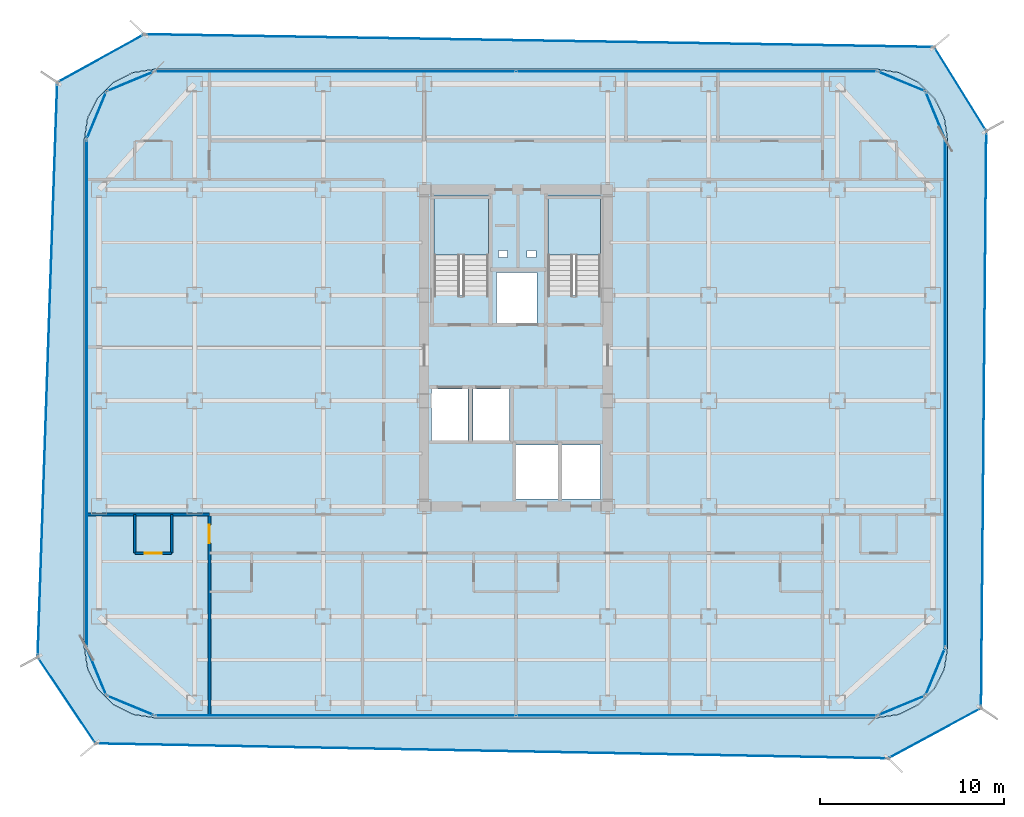
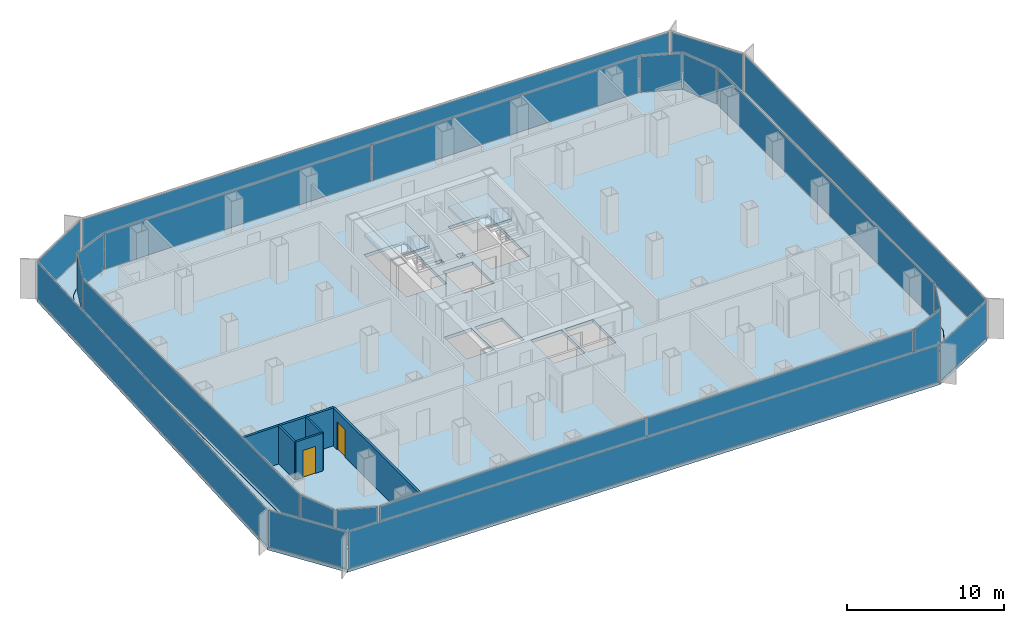
# One storey, part 15 of 21: 22 plates, 5 walls, 4 slabs, 2 doors, 2 openings, 22 elements without a shape of their own.
"""IFC4 building model written with IfcOpenShell, lengths in metres."""

import ifcopenshell
import ifcopenshell.guid

model = None  # the IFC model being written
_history = None  # IfcOwnerHistory: only IFC2X3 demands one
_inside = {}  # id of a spatial element -> (the spatial element, [elements in it])
_under = {}  # id of a project, library or spatial element -> (it, [spatial elements below it])
_declared = {}  # id of a project -> (the project, [libraries it declares])
_typed = {}  # id of a type object -> (the type object, [elements of that type])
_made_of = {}  # id of a material, layer set ... -> (it, [elements and type objects made of it])


def new_model(schema):
    """Start an empty IFC model of exactly this schema.

    Asked for "IFC4X3", IfcOpenShell would pick the latest addendum, in which some entities
    have other attributes; the version numbers below select the first issue.
    IFC2X3 requires an IfcOwnerHistory on every rooted entity: one is made here for all.
    """
    global model, _history
    if schema == "IFC4X3":
        model = ifcopenshell.file(schema_version=(4, 3, 0, 0))
    else:
        model = ifcopenshell.file(schema=schema)
    _inside.clear()
    _under.clear()
    _declared.clear()
    _typed.clear()
    _made_of.clear()
    _history = None
    if model.schema == "IFC2X3":
        org = make("IfcOrganization", Name="unknown")
        user = make(
            "IfcPersonAndOrganization",
            ThePerson=make("IfcPerson", FamilyName="unknown"),
            TheOrganization=org,
        )
        app = make(
            "IfcApplication",
            ApplicationDeveloper=org,
            Version="unknown",
            ApplicationFullName="unknown",
            ApplicationIdentifier="unknown",
        )
        _history = make(
            "IfcOwnerHistory",
            OwningUser=user,
            OwningApplication=app,
            ChangeAction="ADDED",
            CreationDate=0,
        )
    return model


def make(cls, **values):
    """One entity of the class cls with the attributes given. An attribute that is None is left unset."""
    return model.create_entity(
        cls, **{name: value for name, value in values.items() if value is not None}
    )


def rooted(cls, **values):
    """An entity with a GlobalId (a new one), such as an element, a storey or a relation."""
    return make(cls, GlobalId=ifcopenshell.guid.new(), OwnerHistory=_history, **values)


def si_unit(unit_type, name, prefix=None):
    """IfcSIUnit, for example si_unit("LENGTHUNIT", "METRE", prefix="MILLI")."""
    return make("IfcSIUnit", UnitType=unit_type, Prefix=prefix, Name=name)


def assignment(units):
    """IfcUnitAssignment: the units of a project."""
    return None if units is None else make("IfcUnitAssignment", Units=units)


def point(xyz):
    """IfcCartesianPoint."""
    return None if xyz is None else make("IfcCartesianPoint", Coordinates=xyz)


def direction(xyz):
    """IfcDirection."""
    return None if xyz is None else make("IfcDirection", DirectionRatios=xyz)


def frame(location, z_axis=None, x_axis=None):
    """IfcAxis2Placement3D, a coordinate frame: its origin and axes. An axis left out is left unset."""
    return make(
        "IfcAxis2Placement3D",
        Location=point(location),
        Axis=direction(z_axis),
        RefDirection=direction(x_axis),
    )


def frame_2d(location, x_axis=None):
    """IfcAxis2Placement2D, a coordinate frame in the plane: its origin and x axis."""
    return make(
        "IfcAxis2Placement2D", Location=point(location), RefDirection=direction(x_axis)
    )


def origin():
    """The frame at (0, 0, 0) with its axes left unset."""
    return frame((0.0, 0.0, 0.0))


def origin_2d():
    """The frame at (0, 0) in the plane with its x axis left unset."""
    return frame_2d((0.0, 0.0))


def place(relative_to, where):
    """IfcLocalPlacement: puts the frame where relative to a parent placement (None: the world)."""
    return make(
        "IfcLocalPlacement", PlacementRelTo=relative_to, RelativePlacement=where
    )


def context(
    kind, dimensions, precision=None, world=None, true_north=None, identifier=None
):
    """IfcGeometricRepresentationContext, for example the 3D "Model" context."""
    return make(
        "IfcGeometricRepresentationContext",
        ContextIdentifier=identifier,
        ContextType=kind,
        CoordinateSpaceDimension=dimensions,
        Precision=precision,
        WorldCoordinateSystem=world,
        TrueNorth=true_north,
    )


def subcontext(parent, identifier, kind, view, scale=None):
    """IfcGeometricRepresentationSubContext, for example "Body" below "Model"."""
    return make(
        "IfcGeometricRepresentationSubContext",
        ContextIdentifier=identifier,
        ContextType=kind,
        ParentContext=parent,
        TargetScale=scale,
        TargetView=view,
    )


def project(units=None, contexts=None):
    """IfcProject with its units and contexts."""
    return rooted(
        "IfcProject",
        Name="project",
        RepresentationContexts=contexts,
        UnitsInContext=assignment(units),
    )


def spatial(cls, under=None, at=None, **own):
    """A site, building, storey or space (cls), placed at a placement, below another one or the project."""
    s = rooted(cls, ObjectPlacement=at, **own)
    if under is not None:
        _under.setdefault(under.id(), (under, []))[1].append(s)
    return s


def polyline(points):
    """IfcPolyline through the points."""
    return make("IfcPolyline", Points=[point(p) for p in points])


def profile(cls, at=None, kind="AREA", **sizes):
    """A parametric profile (cls). Its sizes go by their IFC names, for example OverallWidth=200.0."""
    return make(cls, ProfileType=kind, Position=at, **sizes)


def rectangle(**sizes):
    """IfcRectangleProfileDef."""
    return profile("IfcRectangleProfileDef", **sizes)


def outline(outer, holes=None, kind="AREA"):
    """IfcArbitraryClosedProfileDef: a profile drawn as a closed curve; with holes, ...WithVoids."""
    if holes is None:
        return make("IfcArbitraryClosedProfileDef", ProfileType=kind, OuterCurve=outer)
    return make(
        "IfcArbitraryProfileDefWithVoids",
        ProfileType=kind,
        OuterCurve=outer,
        InnerCurves=holes,
    )


def extrude(swept, where, along, depth):
    """IfcExtrudedAreaSolid: the profile swept, set in the frame where, extruded along a direction by depth."""
    return make(
        "IfcExtrudedAreaSolid",
        SweptArea=swept,
        Position=where,
        ExtrudedDirection=direction(along),
        Depth=depth,
    )


def shape(context_of_items, identifier, shape_type, items):
    """IfcShapeRepresentation: the items that make up one representation, for example the "Body"."""
    return make(
        "IfcShapeRepresentation",
        ContextOfItems=context_of_items,
        RepresentationIdentifier=identifier,
        RepresentationType=shape_type,
        Items=items,
    )


def source(mapping_origin, context_of_items, identifier, shape_type, items):
    """IfcRepresentationMap: a shape defined once, which mapped items show again and again."""
    return make(
        "IfcRepresentationMap",
        MappingOrigin=mapping_origin,
        MappedRepresentation=shape(context_of_items, identifier, shape_type, items),
    )


def transform(
    local_origin,
    x_axis=None,
    y_axis=None,
    z_axis=None,
    scale=None,
    scale2=None,
    scale3=None,
    uniform=True,
):
    """IfcCartesianTransformationOperator3D, or its non-uniform kind. x_axis, y_axis, z_axis: its Axis1, 2, 3."""
    if uniform:
        return make(
            "IfcCartesianTransformationOperator3D",
            Axis1=direction(x_axis),
            Axis2=direction(y_axis),
            LocalOrigin=point(local_origin),
            Scale=scale,
            Axis3=direction(z_axis),
        )
    return make(
        "IfcCartesianTransformationOperator3DnonUniform",
        Axis1=direction(x_axis),
        Axis2=direction(y_axis),
        LocalOrigin=point(local_origin),
        Scale=scale,
        Axis3=direction(z_axis),
        Scale2=scale2,
        Scale3=scale3,
    )


def mapped(mapping_source, mapping_target):
    """IfcMappedItem: shows the shape of a source again, moved by a transform."""
    return make(
        "IfcMappedItem", MappingSource=mapping_source, MappingTarget=mapping_target
    )


def material(Name=None, Category=None):
    """IfcMaterial."""
    return make("IfcMaterial", Name=Name, Category=Category)


def layer(
    of_material, thickness, ventilated=None, Name=None, Category=None, Priority=None
):
    """IfcMaterialLayer: one layer of a wall or slab, of a material (None: an air gap)."""
    return make(
        "IfcMaterialLayer",
        Material=of_material,
        LayerThickness=thickness,
        IsVentilated=ventilated,
        Name=Name,
        Category=Category,
        Priority=Priority,
    )


def layer_set(layers, Name=None):
    """IfcMaterialLayerSet."""
    return make("IfcMaterialLayerSet", MaterialLayers=layers, LayerSetName=Name)


def made_of(thing, what):
    """Note that an element or type object is made of a material, layer set ...; save() writes the relation."""
    if what is not None:
        _made_of.setdefault(what.id(), (what, []))[1].append(thing)
    return thing


def type_object(cls, material=None, **own):
    """A type object (cls), such as IfcWallType, which elements share."""
    return made_of(rooted(cls, **own), material)


def element(
    cls,
    number,
    at=None,
    inside=None,
    cuts=None,
    type_object=None,
    material=None,
    context=None,
    identifier="Body",
    shape_type=None,
    held_by="IfcProductDefinitionShape",
    body=None,
    shapes=None,
    **own,
):
    """One element of the class cls, such as IfcWall. Its Tag is "e" and its number.

    at: its placement. inside: the storey or other place that contains it. cuts: it is an
    opening in that element (IfcRelVoidsElement). A single representation is given by context,
    identifier, shape_type and body (its items); several are given by shapes. held_by: the class
    of the entity that holds the representations. save() writes the other relations.
    """
    e = rooted(cls, Tag="e%d" % number, ObjectPlacement=at, **own)
    if body is not None:
        shapes = [shape(context, identifier, shape_type, body)]
    if shapes is not None:
        e.Representation = make(held_by, Representations=shapes)
    if inside is not None:
        _inside.setdefault(inside.id(), (inside, []))[1].append(e)
    if cuts is not None:
        rooted(
            "IfcRelVoidsElement", RelatingBuildingElement=cuts, RelatedOpeningElement=e
        )
    if type_object is not None:
        _typed.setdefault(type_object.id(), (type_object, []))[1].append(e)
    return made_of(e, material)


def fill(opening, filler):
    """IfcRelFillsElement: the door or window that sits in an opening."""
    return rooted(
        "IfcRelFillsElement",
        RelatingOpeningElement=opening,
        RelatedBuildingElement=filler,
    )


def aggregate(whole, parts):
    """IfcRelAggregates: a whole, such as a stair, and the parts it consists of."""
    return rooted("IfcRelAggregates", RelatingObject=whole, RelatedObjects=parts)


def save(model, path):
    """Write the relations noted so far, then the file.

    IfcRelAggregates (storeys below a building ...), IfcRelContainedInSpatialStructure (elements
    in a storey), IfcRelDefinesByType, IfcRelAssociatesMaterial and IfcRelDeclares: one each for
    every whole, place, type object, material and project.
    """
    for whole, parts in _under.values():
        aggregate(whole, parts)
    for where, things in _inside.values():
        rooted(
            "IfcRelContainedInSpatialStructure",
            RelatedElements=things,
            RelatingStructure=where,
        )
    for kind, things in _typed.values():
        rooted("IfcRelDefinesByType", RelatedObjects=things, RelatingType=kind)
    for what, things in _made_of.values():
        rooted("IfcRelAssociatesMaterial", RelatedObjects=things, RelatingMaterial=what)
    for by, libraries in _declared.values():
        rooted("IfcRelDeclares", RelatingContext=by, RelatedDefinitions=libraries)
    model.write(path)


model = new_model("IFC4")

# Units and contexts
model_context = context("Model", 3, precision=1e-05, world=origin(), true_north=direction((0.0, 1.0)))
body_context = subcontext(model_context, "Body", "Model", "MODEL_VIEW")
ifc_project = project(units=[si_unit("LENGTHUNIT", "METRE"), si_unit("AREAUNIT", "SQUARE_METRE"), si_unit("VOLUMEUNIT", "CUBIC_METRE"), si_unit("PLANEANGLEUNIT", "RADIAN"), si_unit("MASSUNIT", "GRAM", prefix="KILO")], contexts=[model_context])

# Site, building, storey
site_placement = place(None, origin())
site = spatial("IfcSite", under=ifc_project, at=site_placement, CompositionType="ELEMENT")
building_placement = place(site_placement, origin())
building = spatial("IfcBuilding", under=site, at=building_placement, Name="Kolveth Station Tower", CompositionType="ELEMENT")
storey_placement = place(building_placement, frame((0.0, 0.0, 95.89990234375)))
storey = spatial("IfcBuildingStorey", under=building, at=storey_placement, Name="L25", CompositionType="ELEMENT", Elevation=95.89990234375)

# Slab
ifc_material_1 = material(Name="Concrete C40/50", Category="concrete")
ifc_layer_1 = layer(ifc_material_1, 0.25)
ifc_layer_set_1 = layer_set([ifc_layer_1], Name="Concrete C40/50")
slab_type_1 = type_object("IfcSlabType", Name="Slab_SF-250", PredefinedType="FLOOR", material=ifc_layer_set_1)
slab_1_placement = place(storey_placement, frame((0.0, 0.0, -0.25)))
element("IfcSlab", 1, at=slab_1_placement, inside=storey, type_object=slab_type_1, Name="L25 Tower Structural Floor Slab", PredefinedType="FLOOR", context=body_context, shape_type="SweptSolid", body=[
    extrude(outline(polyline([(43.199951171875, 0.0), (44.374267578125, 0.18603515625), (45.43359375, 0.7255859375), (46.2744140625, 1.56640625), (46.81396484375, 2.625732421875), (47.0, 3.800048828125), (47.0, 31.5), (46.81396484375, 32.67431640625), (46.2744140625, 33.733642578125), (45.43359375, 34.57421875), (44.374267578125, 35.114013671875), (43.199951171875, 35.300048828125), (3.800048828125, 35.300048828125), (2.625732421875, 35.114013671875), (1.56640625, 34.57421875), (0.7255859375, 33.733642578125), (0.18603515625, 32.67431640625), (0.0, 31.5), (0.0, 3.800048828125), (0.18603515625, 2.625732421875), (0.7255859375, 1.56640625), (1.56640625, 0.7255859375), (2.625732421875, 0.18603515625), (3.800048828125, 0.0), (43.199951171875, 0.0)]), holes=[polyline([(19.0400390625, 22.985107421875), (22.0, 22.985107421875), (22.0, 28.39990234375), (19.0400390625, 28.39990234375), (19.0400390625, 22.985107421875)]), polyline([(25.239990234375, 22.985107421875), (28.10009765625, 22.985107421875), (28.10009765625, 28.39990234375), (25.239990234375, 28.39990234375), (25.239990234375, 22.985107421875)]), polyline([(18.89990234375, 15.10009765625), (20.89990234375, 15.10009765625), (20.89990234375, 17.89990234375), (18.89990234375, 17.89990234375), (18.89990234375, 15.10009765625)]), polyline([(21.14990234375, 15.10009765625), (23.14990234375, 15.10009765625), (23.14990234375, 17.89990234375), (21.14990234375, 17.89990234375), (21.14990234375, 15.10009765625)]), polyline([(22.449951171875, 21.5), (24.64990234375, 21.5), (24.64990234375, 24.25), (22.449951171875, 24.25), (22.449951171875, 21.5)]), polyline([(23.5, 11.89990234375), (25.800048828125, 11.89990234375), (25.800048828125, 14.85009765625), (23.5, 14.85009765625), (23.5, 11.89990234375)]), polyline([(26.0, 11.89990234375), (28.10009765625, 11.89990234375), (28.10009765625, 14.85009765625), (26.0, 14.85009765625), (26.0, 11.89990234375)]), polyline([(22.550048828125, 25.050048828125), (23.050048828125, 25.050048828125), (23.050048828125, 25.449951171875), (22.550048828125, 25.449951171875), (22.550048828125, 25.050048828125)]), polyline([(24.10009765625, 25.050048828125), (24.60009765625, 25.050048828125), (24.60009765625, 25.449951171875), (24.10009765625, 25.449951171875), (24.10009765625, 25.050048828125)])]), origin(), (0.0, 0.0, 1.0), 0.25),
])

# Stair, slab
stair_type_1 = type_object("IfcStairType", Name="Stair_ST2", PredefinedType="HALF_TURN_STAIR", material=ifc_material_1)
stair_1_placement = place(storey_placement, origin())
stair_1 = element("IfcStair", 2, at=stair_1_placement, inside=storey, type_object=stair_type_1, Name="L25 Tower Exit Stair ST2", PredefinedType="HALF_TURN_STAIR")
ifc_layer_2 = layer(ifc_material_1, 0.18994140625)
ifc_layer_set_2 = layer_set([ifc_layer_2], Name="Concrete C40/50")
slab_type_2 = type_object("IfcSlabType", Name="Slab_SL-190", PredefinedType="LANDING", material=ifc_layer_set_2)
slab_2_placement = place(storey_placement, frame((0.0, 0.0, 1.400146484375)))
slab_2 = element("IfcSlab", 3, at=slab_2_placement, type_object=slab_type_2, Name="ST2 landing 1", PredefinedType="LANDING", context=body_context, shape_type="SweptSolid", body=[
    extrude(outline(polyline([(28.10009765625, 25.18994140625), (28.10009765625, 28.39990234375), (25.239990234375, 28.39990234375), (25.239990234375, 25.18994140625), (28.10009765625, 25.18994140625)])), origin(), (0.0, 0.0, 1.0), 0.199951171875),
])
aggregate(stair_1, [slab_2])

stair_type_2 = type_object("IfcStairType", Name="Stair_ST1", PredefinedType="HALF_TURN_STAIR", material=ifc_material_1)
stair_2_placement = place(storey_placement, origin())
stair_2 = element("IfcStair", 4, at=stair_2_placement, inside=storey, type_object=stair_type_2, Name="L25 Tower Exit Stair ST1", PredefinedType="HALF_TURN_STAIR")
ifc_layer_3 = layer(ifc_material_1, 0.205078125)
ifc_layer_set_3 = layer_set([ifc_layer_3], Name="Concrete C40/50")
slab_type_3 = type_object("IfcSlabType", Name="Slab_SL-205", PredefinedType="LANDING", material=ifc_layer_set_3)
slab_3_placement = place(storey_placement, frame((0.0, 0.0, 1.400146484375)))
slab_3 = element("IfcSlab", 5, at=slab_3_placement, type_object=slab_type_3, Name="ST1 landing 1", PredefinedType="LANDING", context=body_context, shape_type="SweptSolid", body=[
    extrude(outline(polyline([(22.0, 25.18994140625), (22.0, 28.39990234375), (19.0400390625, 28.39990234375), (19.0400390625, 25.18994140625), (22.0, 25.18994140625)])), origin(), (0.0, 0.0, 1.0), 0.199951171875),
])
aggregate(stair_2, [slab_3])

# Slab
ifc_layer_4 = layer(ifc_material_1, 0.2099609375)
ifc_layer_set_4 = layer_set([ifc_layer_4], Name="Concrete C40/50")
slab_type_4 = type_object("IfcSlabType", Name="Slab_ST-210", PredefinedType="FLOOR", material=ifc_layer_set_4)
slab_4_placement = place(storey_placement, frame((0.0, 0.0, -0.2099609375)))
element("IfcSlab", 6, at=slab_4_placement, inside=storey, type_object=slab_type_4, Name="L25 Double-Skin Cavity Structural Ledger Ring", PredefinedType="FLOOR", context=body_context, shape_type="SweptSolid", body=[
    extrude(outline(polyline([(0.61083984375, -1.41259765625), (-2.54638671875, 3.29931640625), (-1.479248046875, 34.58544921875), (3.266357421875, 37.209716796875), (46.277587890625, 36.51708984375), (49.1181640625, 31.9462890625), (48.833251953125, 0.5107421875), (43.772705078125, -2.2236328125), (0.61083984375, -1.41259765625)]), holes=[polyline([(43.202392578125, -0.014892578125), (44.376708984375, 0.171142578125), (44.381103515625, 0.172607421875), (45.4404296875, 0.71240234375), (45.444091796875, 0.715087890625), (46.284912109375, 1.555908203125), (46.28759765625, 1.5595703125), (46.827392578125, 2.618896484375), (46.828857421875, 2.623291015625), (47.014892578125, 3.797607421875), (47.014892578125, 3.800048828125), (47.014892578125, 31.5), (47.014892578125, 31.502197265625), (46.828857421875, 32.676513671875), (46.827392578125, 32.68115234375), (46.28759765625, 33.740478515625), (46.284912109375, 33.744140625), (45.444091796875, 34.5849609375), (45.4404296875, 34.587646484375), (44.381103515625, 35.12744140625), (44.376708984375, 35.12890625), (43.202392578125, 35.314697265625), (43.199951171875, 35.31494140625), (3.800048828125, 35.31494140625), (3.797607421875, 35.314697265625), (2.623291015625, 35.12890625), (2.618896484375, 35.12744140625), (1.5595703125, 34.587646484375), (1.555908203125, 34.5849609375), (0.715087890625, 33.744140625), (0.71240234375, 33.740478515625), (0.172607421875, 32.68115234375), (0.171142578125, 32.676513671875), (-0.014892578125, 31.502197265625), (-0.014892578125, 31.5), (-0.014892578125, 3.800048828125), (-0.014892578125, 3.797607421875), (0.171142578125, 2.623291015625), (0.172607421875, 2.618896484375), (0.71240234375, 1.5595703125), (0.715087890625, 1.555908203125), (1.555908203125, 0.715087890625), (1.5595703125, 0.71240234375), (2.618896484375, 0.172607421875), (2.623291015625, 0.171142578125), (3.797607421875, -0.014892578125), (3.800048828125, -0.014892578125), (43.199951171875, -0.014892578125), (43.202392578125, -0.014892578125)])]), origin(), (0.0, 0.0, 1.0), 0.2099609375),
])

# Curtain wall, plate
ifc_material_2 = material(Name="Aluminium 6063-T6 and low-E dark glass", Category="aluminium")
ifc_layer_5 = layer(ifc_material_2, 0.18994140625)
ifc_layer_set_5 = layer_set([ifc_layer_5], Name="Aluminium 6063-T6 and low-E dark glass")
curtain_wall_type_1 = type_object("IfcCurtainWallType", Name="CurtainWall_CW-Z2", PredefinedType="NOTDEFINED", material=ifc_layer_set_5)
curtain_wall_1_placement = place(storey_placement, origin())
curtain_wall_1 = element("IfcCurtainWall", 7, at=curtain_wall_1_placement, inside=storey, type_object=curtain_wall_type_1, Name="L25 Inner Thermal Curtain Wall 1", PredefinedType="NOTDEFINED")
ifc_material_3 = material(Name="Architectural low-E dark glass", Category="glass")
ifc_layer_6 = layer(ifc_material_3, 0.0380859375)
ifc_layer_set_6 = layer_set([ifc_layer_6], Name="Architectural low-E dark glass")
plate_type_1 = type_object("IfcPlateType", Name="Panel_GL2", PredefinedType="CURTAIN_PANEL", material=ifc_layer_set_6)
shared_shape_1 = source(origin(), body_context, "Body", "SweptSolid", [
    extrude(rectangle(XDim=2.670654296875, YDim=0.0380859375, at=origin_2d()), origin(), (0.0, 0.0, 1.0), 2.803955078125),
])
plate_1_placement = place(storey_placement, frame((44.501220703125, 0.658935546875, 0.0732421875), z_axis=(0.0, 0.0, 1.0), x_axis=(0.923887883787, 0.38266326998, 0.0)))
plate_1 = element("IfcPlate", 8, at=plate_1_placement, type_object=plate_type_1, Name="CW-Z2 panel 1.1", PredefinedType="CURTAIN_PANEL", context=body_context, shape_type="MappedRepresentation", body=[
    mapped(shared_shape_1, transform((0.0, 0.0, 0.0), x_axis=(1.0, 0.0, 0.0), y_axis=(0.0, 1.0, 0.0), z_axis=(0.0, 0.0, 1.0), scale=1.0)),
])
aggregate(curtain_wall_1, [plate_1])

curtain_wall_2_placement = place(storey_placement, origin())
curtain_wall_2 = element("IfcCurtainWall", 9, at=curtain_wall_2_placement, inside=storey, type_object=curtain_wall_type_1, Name="L25 Inner Thermal Curtain Wall 2", PredefinedType="NOTDEFINED")
plate_2_placement = place(storey_placement, frame((46.341064453125, 2.498779296875, 0.0732421875), z_axis=(0.0, 0.0, 1.0), x_axis=(0.38266326998, 0.923887883787, 0.0)))
plate_2 = element("IfcPlate", 10, at=plate_2_placement, type_object=plate_type_1, Name="CW-Z2 panel 1.1", PredefinedType="CURTAIN_PANEL", context=body_context, shape_type="MappedRepresentation", body=[
    mapped(shared_shape_1, transform((0.0, 0.0, 0.0), x_axis=(1.0, 0.0, 0.0), y_axis=(0.0, 1.0, 0.0), z_axis=(0.0, 0.0, 1.0), scale=1.0)),
])
aggregate(curtain_wall_2, [plate_2])

curtain_wall_3_placement = place(storey_placement, origin())
curtain_wall_3 = element("IfcCurtainWall", 11, at=curtain_wall_3_placement, inside=storey, type_object=curtain_wall_type_1, Name="L25 Inner Thermal Curtain Wall 4", PredefinedType="NOTDEFINED")
plate_3_placement = place(storey_placement, frame((46.341064453125, 32.801025390625, 0.0732421875), z_axis=(0.0, 0.0, 1.0), x_axis=(-0.38266326998, 0.923887883787, 0.0)))
plate_3 = element("IfcPlate", 12, at=plate_3_placement, type_object=plate_type_1, Name="CW-Z2 panel 1.1", PredefinedType="CURTAIN_PANEL", context=body_context, shape_type="MappedRepresentation", body=[
    mapped(shared_shape_1, transform((0.0, 0.0, 0.0), x_axis=(1.0, 0.0, 0.0), y_axis=(0.0, 1.0, 0.0), z_axis=(0.0, 0.0, 1.0), scale=1.0)),
])
aggregate(curtain_wall_3, [plate_3])

curtain_wall_4_placement = place(storey_placement, origin())
curtain_wall_4 = element("IfcCurtainWall", 13, at=curtain_wall_4_placement, inside=storey, type_object=curtain_wall_type_1, Name="L25 Inner Thermal Curtain Wall 5", PredefinedType="NOTDEFINED")
plate_4_placement = place(storey_placement, frame((44.501220703125, 34.64111328125, 0.0732421875), z_axis=(0.0, 0.0, 1.0), x_axis=(-0.923887883787, 0.38266326998, 0.0)))
plate_4 = element("IfcPlate", 14, at=plate_4_placement, type_object=plate_type_1, Name="CW-Z2 panel 1.1", PredefinedType="CURTAIN_PANEL", context=body_context, shape_type="MappedRepresentation", body=[
    mapped(shared_shape_1, transform((0.0, 0.0, 0.0), x_axis=(1.0, 0.0, 0.0), y_axis=(0.0, 1.0, 0.0), z_axis=(0.0, 0.0, 1.0), scale=1.0)),
])
aggregate(curtain_wall_4, [plate_4])

curtain_wall_5_placement = place(storey_placement, origin())
curtain_wall_5 = element("IfcCurtainWall", 15, at=curtain_wall_5_placement, inside=storey, type_object=curtain_wall_type_1, Name="L25 Inner Thermal Curtain Wall 7", PredefinedType="NOTDEFINED")
plate_5_placement = place(storey_placement, frame((2.498779296875, 34.64111328125, 0.0732421875), z_axis=(0.0, 0.0, 1.0), x_axis=(-0.923887883787, -0.38266326998, 0.0)))
plate_5 = element("IfcPlate", 16, at=plate_5_placement, type_object=plate_type_1, Name="CW-Z2 panel 1.1", PredefinedType="CURTAIN_PANEL", context=body_context, shape_type="MappedRepresentation", body=[
    mapped(shared_shape_1, transform((0.0, 0.0, 0.0), x_axis=(1.0, 0.0, 0.0), y_axis=(0.0, 1.0, 0.0), z_axis=(0.0, 0.0, 1.0), scale=1.0)),
])
aggregate(curtain_wall_5, [plate_5])

curtain_wall_6_placement = place(storey_placement, origin())
curtain_wall_6 = element("IfcCurtainWall", 17, at=curtain_wall_6_placement, inside=storey, type_object=curtain_wall_type_1, Name="L25 Inner Thermal Curtain Wall 8", PredefinedType="NOTDEFINED")
plate_6_placement = place(storey_placement, frame((0.658935546875, 32.801025390625, 0.0732421875), z_axis=(0.0, 0.0, 1.0), x_axis=(-0.38266326998, -0.923887883787, 0.0)))
plate_6 = element("IfcPlate", 18, at=plate_6_placement, type_object=plate_type_1, Name="CW-Z2 panel 1.1", PredefinedType="CURTAIN_PANEL", context=body_context, shape_type="MappedRepresentation", body=[
    mapped(shared_shape_1, transform((0.0, 0.0, 0.0), x_axis=(1.0, 0.0, 0.0), y_axis=(0.0, 1.0, 0.0), z_axis=(0.0, 0.0, 1.0), scale=1.0)),
])
aggregate(curtain_wall_6, [plate_6])

curtain_wall_7_placement = place(storey_placement, origin())
curtain_wall_7 = element("IfcCurtainWall", 19, at=curtain_wall_7_placement, inside=storey, type_object=curtain_wall_type_1, Name="L25 Inner Thermal Curtain Wall 10", PredefinedType="NOTDEFINED")
plate_7_placement = place(storey_placement, frame((0.658935546875, 2.498779296875, 0.0732421875), z_axis=(0.0, 0.0, 1.0), x_axis=(0.38266326998, -0.923887883787, 0.0)))
plate_7 = element("IfcPlate", 20, at=plate_7_placement, type_object=plate_type_1, Name="CW-Z2 panel 1.1", PredefinedType="CURTAIN_PANEL", context=body_context, shape_type="MappedRepresentation", body=[
    mapped(shared_shape_1, transform((0.0, 0.0, 0.0), x_axis=(1.0, 0.0, 0.0), y_axis=(0.0, 1.0, 0.0), z_axis=(0.0, 0.0, 1.0), scale=1.0)),
])
aggregate(curtain_wall_7, [plate_7])

curtain_wall_8_placement = place(storey_placement, origin())
curtain_wall_8 = element("IfcCurtainWall", 21, at=curtain_wall_8_placement, inside=storey, type_object=curtain_wall_type_1, Name="L25 Inner Thermal Curtain Wall 11", PredefinedType="NOTDEFINED")
plate_8_placement = place(storey_placement, frame((2.498779296875, 0.658935546875, 0.0732421875), z_axis=(0.0, 0.0, 1.0), x_axis=(0.923887883787, -0.38266326998, 0.0)))
plate_8 = element("IfcPlate", 22, at=plate_8_placement, type_object=plate_type_1, Name="CW-Z2 panel 1.1", PredefinedType="CURTAIN_PANEL", context=body_context, shape_type="MappedRepresentation", body=[
    mapped(shared_shape_1, transform((0.0, 0.0, 0.0), x_axis=(1.0, 0.0, 0.0), y_axis=(0.0, 1.0, 0.0), z_axis=(0.0, 0.0, 1.0), scale=1.0)),
])
aggregate(curtain_wall_8, [plate_8])

curtain_wall_9_placement = place(storey_placement, origin())
curtain_wall_9 = element("IfcCurtainWall", 23, at=curtain_wall_9_placement, inside=storey, type_object=curtain_wall_type_1, Name="L25 Inner Thermal Curtain Wall 3", PredefinedType="NOTDEFINED")
shared_shape_2 = source(origin(), body_context, "Body", "SweptSolid", [
    extrude(rectangle(XDim=27.553955078125, YDim=0.0380859375, at=origin_2d()), origin(), (0.0, 0.0, 1.0), 2.803955078125),
])
plate_9_placement = place(storey_placement, frame((46.8798828125, 17.64990234375, 0.0732421875), z_axis=(0.0, 0.0, 1.0), x_axis=(0.0, 1.0, 0.0)))
plate_9 = element("IfcPlate", 24, at=plate_9_placement, type_object=plate_type_1, Name="CW-Z2 panel 1.1", PredefinedType="CURTAIN_PANEL", context=body_context, shape_type="MappedRepresentation", body=[
    mapped(shared_shape_2, transform((0.0, 0.0, 0.0), x_axis=(1.0, 0.0, 0.0), y_axis=(0.0, 1.0, 0.0), z_axis=(0.0, 0.0, 1.0), scale=1.0)),
])
aggregate(curtain_wall_9, [plate_9])

curtain_wall_10_placement = place(storey_placement, origin())
curtain_wall_10 = element("IfcCurtainWall", 25, at=curtain_wall_10_placement, inside=storey, type_object=curtain_wall_type_1, Name="L25 Inner Thermal Curtain Wall 9", PredefinedType="NOTDEFINED")
plate_10_placement = place(storey_placement, frame((0.1201171875, 17.64990234375, 0.0732421875), z_axis=(0.0, 0.0, 1.0), x_axis=(0.0, -1.0, 0.0)))
plate_10 = element("IfcPlate", 26, at=plate_10_placement, type_object=plate_type_1, Name="CW-Z2 panel 1.1", PredefinedType="CURTAIN_PANEL", context=body_context, shape_type="MappedRepresentation", body=[
    mapped(shared_shape_2, transform((0.0, 0.0, 0.0), x_axis=(1.0, 0.0, 0.0), y_axis=(0.0, 1.0, 0.0), z_axis=(0.0, 0.0, 1.0), scale=1.0)),
])
aggregate(curtain_wall_10, [plate_10])

# Curtain wall, plates
curtain_wall_11_placement = place(storey_placement, origin())
curtain_wall_11 = element("IfcCurtainWall", 27, at=curtain_wall_11_placement, inside=storey, type_object=curtain_wall_type_1, Name="L25 Inner Thermal Curtain Wall 6", PredefinedType="NOTDEFINED")
shared_shape_3 = source(origin(), body_context, "Body", "SweptSolid", [
    extrude(rectangle(XDim=19.593994140625, YDim=0.0380859375, at=origin_2d()), origin(), (0.0, 0.0, 1.0), 2.803955078125),
])
plate_11_placement = place(storey_placement, frame((33.330078125, 35.179931640625, 0.0732421875), z_axis=(0.0, 0.0, 1.0), x_axis=(-1.0, 0.0, 0.0)))
plate_11 = element("IfcPlate", 28, at=plate_11_placement, type_object=plate_type_1, Name="CW-Z2 panel 1.1", PredefinedType="CURTAIN_PANEL", context=body_context, shape_type="MappedRepresentation", body=[
    mapped(shared_shape_3, transform((0.0, 0.0, 0.0), x_axis=(1.0, 0.0, 0.0), y_axis=(0.0, 1.0, 0.0), z_axis=(0.0, 0.0, 1.0), scale=1.0)),
])
plate_12_placement = place(storey_placement, frame((13.669921875, 35.179931640625, 0.0732421875), z_axis=(0.0, 0.0, 1.0), x_axis=(-1.0, 0.0, 0.0)))
plate_12 = element("IfcPlate", 29, at=plate_12_placement, type_object=plate_type_1, Name="CW-Z2 panel 2.1", PredefinedType="CURTAIN_PANEL", context=body_context, shape_type="MappedRepresentation", body=[
    mapped(shared_shape_3, transform((0.0, 0.0, 0.0), x_axis=(1.0, 0.0, 0.0), y_axis=(0.0, 1.0, 0.0), z_axis=(0.0, 0.0, 1.0), scale=1.0)),
])
aggregate(curtain_wall_11, [plate_11, plate_12])

curtain_wall_12_placement = place(storey_placement, origin())
curtain_wall_12 = element("IfcCurtainWall", 30, at=curtain_wall_12_placement, inside=storey, type_object=curtain_wall_type_1, Name="L25 Inner Thermal Curtain Wall 12", PredefinedType="NOTDEFINED")
plate_13_placement = place(storey_placement, frame((13.669921875, 0.1201171875, 0.0732421875), z_axis=(0.0, 0.0, 1.0), x_axis=(1.0, 0.0, 0.0)))
plate_13 = element("IfcPlate", 31, at=plate_13_placement, type_object=plate_type_1, Name="CW-Z2 panel 1.1", PredefinedType="CURTAIN_PANEL", context=body_context, shape_type="MappedRepresentation", body=[
    mapped(shared_shape_3, transform((0.0, 0.0, 0.0), x_axis=(1.0, 0.0, 0.0), y_axis=(0.0, 1.0, 0.0), z_axis=(0.0, 0.0, 1.0), scale=1.0)),
])
plate_14_placement = place(storey_placement, frame((33.330078125, 0.1201171875, 0.0732421875), z_axis=(0.0, 0.0, 1.0), x_axis=(1.0, 0.0, 0.0)))
plate_14 = element("IfcPlate", 32, at=plate_14_placement, type_object=plate_type_1, Name="CW-Z2 panel 2.1", PredefinedType="CURTAIN_PANEL", context=body_context, shape_type="MappedRepresentation", body=[
    mapped(shared_shape_3, transform((0.0, 0.0, 0.0), x_axis=(1.0, 0.0, 0.0), y_axis=(0.0, 1.0, 0.0), z_axis=(0.0, 0.0, 1.0), scale=1.0)),
])
aggregate(curtain_wall_12, [plate_13, plate_14])

# Curtain wall, plate
ifc_material_4 = material(Name="Black anodized aluminium 6063-T6 and dark solar glass", Category="aluminium")
ifc_layer_7 = layer(ifc_material_4, 0.159912109375)
ifc_layer_set_7 = layer_set([ifc_layer_7], Name="Black anodized aluminium 6063-T6 and dark solar glass")
curtain_wall_type_2 = type_object("IfcCurtainWallType", Name="OUTER SKIN CW-OS", PredefinedType="NOTDEFINED", material=ifc_layer_set_7)
curtain_wall_13_placement = place(storey_placement, origin())
curtain_wall_13 = element("IfcCurtainWall", 33, at=curtain_wall_13_placement, inside=storey, type_object=curtain_wall_type_2, Name="L25 Outer Ventilated Skin Curtain Wall 1", PredefinedType="NOTDEFINED")
ifc_layer_8 = layer(ifc_material_3, 0.028076171875)
ifc_layer_set_8 = layer_set([ifc_layer_8], Name="Architectural low-E dark glass")
plate_type_2 = type_object("IfcPlateType", Name="Panel_GL-OS", PredefinedType="CURTAIN_PANEL", material=ifc_layer_set_8)
shared_shape_4 = source(origin(), body_context, "Body", "SweptSolid", [
    extrude(rectangle(XDim=5.586181640625, YDim=0.028076171875, at=origin_2d()), origin(), (0.0, 0.0, 1.0), 2.843994140625),
])
plate_15_placement = place(storey_placement, frame((46.302978515625, -0.8564453125, 0.0732421875), z_axis=(0.0, 0.0, 1.0), x_axis=(0.879783550146, 0.475374489105, 0.0)))
plate_15 = element("IfcPlate", 34, at=plate_15_placement, type_object=plate_type_2, Name="CW-OS panel 1.1", PredefinedType="CURTAIN_PANEL", context=body_context, shape_type="MappedRepresentation", body=[
    mapped(shared_shape_4, transform((0.0, 0.0, 0.0), x_axis=(1.0, 0.0, 0.0), y_axis=(0.0, 1.0, 0.0), z_axis=(0.0, 0.0, 1.0), scale=1.0)),
])
aggregate(curtain_wall_13, [plate_15])

curtain_wall_14_placement = place(storey_placement, origin())
curtain_wall_14 = element("IfcCurtainWall", 35, at=curtain_wall_14_placement, inside=storey, type_object=curtain_wall_type_2, Name="L25 Outer Ventilated Skin Curtain Wall 2", PredefinedType="NOTDEFINED")
shared_shape_5 = source(origin(), body_context, "Body", "SweptSolid", [
    extrude(rectangle(XDim=31.27099609375, YDim=0.028076171875, at=origin_2d()), origin(), (0.0, 0.0, 1.0), 2.843994140625),
])
plate_16_placement = place(storey_placement, frame((48.9755859375, 16.228515625, 0.0732421875), z_axis=(0.0, 0.0, 1.0), x_axis=(0.009065752888, 0.999958905218, 0.0)))
plate_16 = element("IfcPlate", 36, at=plate_16_placement, type_object=plate_type_2, Name="CW-OS panel 1.1", PredefinedType="CURTAIN_PANEL", context=body_context, shape_type="MappedRepresentation", body=[
    mapped(shared_shape_5, transform((0.0, 0.0, 0.0), x_axis=(1.0, 0.0, 0.0), y_axis=(0.0, 1.0, 0.0), z_axis=(0.0, 0.0, 1.0), scale=1.0)),
])
aggregate(curtain_wall_14, [plate_16])

curtain_wall_15_placement = place(storey_placement, origin())
curtain_wall_15 = element("IfcCurtainWall", 37, at=curtain_wall_15_placement, inside=storey, type_object=curtain_wall_type_2, Name="L25 Outer Ventilated Skin Curtain Wall 3", PredefinedType="NOTDEFINED")
shared_shape_6 = source(origin(), body_context, "Body", "SweptSolid", [
    extrude(rectangle(XDim=5.215576171875, YDim=0.028076171875, at=origin_2d()), origin(), (0.0, 0.0, 1.0), 2.843994140625),
])
plate_17_placement = place(storey_placement, frame((47.69775390625, 34.231689453125, 0.0732421875), z_axis=(0.0, 0.0, 1.0), x_axis=(-0.527852615366, 0.849335985609, 0.0)))
plate_17 = element("IfcPlate", 38, at=plate_17_placement, type_object=plate_type_2, Name="CW-OS panel 1.1", PredefinedType="CURTAIN_PANEL", context=body_context, shape_type="MappedRepresentation", body=[
    mapped(shared_shape_6, transform((0.0, 0.0, 0.0), x_axis=(1.0, 0.0, 0.0), y_axis=(0.0, 1.0, 0.0), z_axis=(0.0, 0.0, 1.0), scale=1.0)),
])
aggregate(curtain_wall_15, [plate_17])

curtain_wall_16_placement = place(storey_placement, origin())
curtain_wall_16 = element("IfcCurtainWall", 39, at=curtain_wall_16_placement, inside=storey, type_object=curtain_wall_type_2, Name="L25 Outer Ventilated Skin Curtain Wall 4", PredefinedType="NOTDEFINED")
shared_shape_7 = source(origin(), body_context, "Body", "SweptSolid", [
    extrude(rectangle(XDim=42.850830078125, YDim=0.028076171875, at=origin_2d()), origin(), (0.0, 0.0, 1.0), 2.843994140625),
])
plate_18_placement = place(storey_placement, frame((24.77197265625, 36.863525390625, 0.0732421875), z_axis=(0.0, 0.0, 1.0), x_axis=(-0.999870375405, 0.016100695219, 0.0)))
plate_18 = element("IfcPlate", 40, at=plate_18_placement, type_object=plate_type_2, Name="CW-OS panel 1.1", PredefinedType="CURTAIN_PANEL", context=body_context, shape_type="MappedRepresentation", body=[
    mapped(shared_shape_7, transform((0.0, 0.0, 0.0), x_axis=(1.0, 0.0, 0.0), y_axis=(0.0, 1.0, 0.0), z_axis=(0.0, 0.0, 1.0), scale=1.0)),
])
aggregate(curtain_wall_16, [plate_18])

curtain_wall_17_placement = place(storey_placement, origin())
curtain_wall_17 = element("IfcCurtainWall", 41, at=curtain_wall_17_placement, inside=storey, type_object=curtain_wall_type_2, Name="L25 Outer Ventilated Skin Curtain Wall 5", PredefinedType="NOTDEFINED")
shared_shape_8 = source(origin(), body_context, "Body", "SweptSolid", [
    extrude(rectangle(XDim=5.2568359375, YDim=0.028076171875, at=origin_2d()), origin(), (0.0, 0.0, 1.0), 2.843994140625),
])
plate_19_placement = place(storey_placement, frame((0.8935546875, 35.897705078125, 0.0732421875), z_axis=(0.0, 0.0, 1.0), x_axis=(-0.875094195814, -0.483952630381, 0.0)))
plate_19 = element("IfcPlate", 42, at=plate_19_placement, type_object=plate_type_2, Name="CW-OS panel 1.1", PredefinedType="CURTAIN_PANEL", context=body_context, shape_type="MappedRepresentation", body=[
    mapped(shared_shape_8, transform((0.0, 0.0, 0.0), x_axis=(1.0, 0.0, 0.0), y_axis=(0.0, 1.0, 0.0), z_axis=(0.0, 0.0, 1.0), scale=1.0)),
])
aggregate(curtain_wall_17, [plate_19])

curtain_wall_18_placement = place(storey_placement, origin())
curtain_wall_18 = element("IfcCurtainWall", 43, at=curtain_wall_18_placement, inside=storey, type_object=curtain_wall_type_2, Name="L25 Outer Ventilated Skin Curtain Wall 6", PredefinedType="NOTDEFINED")
shared_shape_9 = source(origin(), body_context, "Body", "SweptSolid", [
    extrude(rectangle(XDim=31.13818359375, YDim=0.028076171875, at=origin_2d()), origin(), (0.0, 0.0, 1.0), 2.843994140625),
])
plate_20_placement = place(storey_placement, frame((-2.012939453125, 18.9423828125, 0.0732421875), z_axis=(0.0, 0.0, 1.0), x_axis=(-0.034094466779, -0.999418614663, 0.0)))
plate_20 = element("IfcPlate", 44, at=plate_20_placement, type_object=plate_type_2, Name="CW-OS panel 1.1", PredefinedType="CURTAIN_PANEL", context=body_context, shape_type="MappedRepresentation", body=[
    mapped(shared_shape_9, transform((0.0, 0.0, 0.0), x_axis=(1.0, 0.0, 0.0), y_axis=(0.0, 1.0, 0.0), z_axis=(0.0, 0.0, 1.0), scale=1.0)),
])
aggregate(curtain_wall_18, [plate_20])

curtain_wall_19_placement = place(storey_placement, origin())
curtain_wall_19 = element("IfcCurtainWall", 45, at=curtain_wall_19_placement, inside=storey, type_object=curtain_wall_type_2, Name="L25 Outer Ventilated Skin Curtain Wall 7", PredefinedType="NOTDEFINED")
shared_shape_10 = source(origin(), body_context, "Body", "SweptSolid", [
    extrude(rectangle(XDim=5.506103515625, YDim=0.028076171875, at=origin_2d()), origin(), (0.0, 0.0, 1.0), 2.843994140625),
])
plate_21_placement = place(storey_placement, frame((-0.9677734375, 0.943359375, 0.0732421875), z_axis=(0.0, 0.0, 1.0), x_axis=(0.556651536658, -0.830746090413, 0.0)))
plate_21 = element("IfcPlate", 46, at=plate_21_placement, type_object=plate_type_2, Name="CW-OS panel 1.1", PredefinedType="CURTAIN_PANEL", context=body_context, shape_type="MappedRepresentation", body=[
    mapped(shared_shape_10, transform((0.0, 0.0, 0.0), x_axis=(1.0, 0.0, 0.0), y_axis=(0.0, 1.0, 0.0), z_axis=(0.0, 0.0, 1.0), scale=1.0)),
])
aggregate(curtain_wall_19, [plate_21])

curtain_wall_20_placement = place(storey_placement, origin())
curtain_wall_20 = element("IfcCurtainWall", 47, at=curtain_wall_20_placement, inside=storey, type_object=curtain_wall_type_2, Name="L25 Outer Ventilated Skin Curtain Wall 8", PredefinedType="NOTDEFINED")
shared_shape_11 = source(origin(), body_context, "Body", "SweptSolid", [
    extrude(rectangle(XDim=43.00341796875, YDim=0.028076171875, at=origin_2d()), origin(), (0.0, 0.0, 1.0), 2.843994140625),
])
plate_22_placement = place(storey_placement, frame((22.191650390625, -1.818115234375, 0.0732421875), z_axis=(0.0, 0.0, 1.0), x_axis=(0.999823518312, -0.018786490643, 0.0)))
plate_22 = element("IfcPlate", 48, at=plate_22_placement, type_object=plate_type_2, Name="CW-OS panel 1.1", PredefinedType="CURTAIN_PANEL", context=body_context, shape_type="MappedRepresentation", body=[
    mapped(shared_shape_11, transform((0.0, 0.0, 0.0), x_axis=(1.0, 0.0, 0.0), y_axis=(0.0, 1.0, 0.0), z_axis=(0.0, 0.0, 1.0), scale=1.0)),
])
aggregate(curtain_wall_20, [plate_22])

# Walls
ifc_material_5 = material(Name="Moisture-resistant gypsum partition")
ifc_layer_9 = layer(ifc_material_5, 0.135009765625)
ifc_layer_set_9 = layer_set([ifc_layer_9], Name="Moisture-resistant gypsum partition")
wall_type_1 = type_object("IfcWallType", Name="Wall_IW-135", PredefinedType="PARTITIONING", material=ifc_layer_set_9)
for number, where, z_axis, x_axis, name in (
    (49, (2.75, 8.949951171875, 0.0), (0.0, 0.0, 1.0), (0.0, 1.0, 0.0), "L25 Partition Wall WL-L25-WS1-BV1"),
    (50, (4.75, 8.949951171875, 0.0), (0.0, 0.0, 1.0), (0.0, 1.0, 0.0), "L25 Partition Wall WL-L25-WS1-BV2"),
):
    element("IfcWall", number, at=place(storey_placement, frame(where, z_axis=z_axis, x_axis=x_axis)), inside=storey, type_object=wall_type_1, Name=name, PredefinedType="PARTITIONING", context=body_context, shape_type="SweptSolid", body=[
        extrude(rectangle(XDim=2.10009765625, YDim=0.135009765625, at=frame_2d((1.050048828125, 0.0))), origin(), (0.0, 0.0, 1.0), 2.9501953125),
    ])

# Wall, opening, door
wall_1_placement = place(storey_placement, frame((2.75, 8.949951171875, 0.0), z_axis=(0.0, 0.0, 1.0), x_axis=(1.0, 0.0, 0.0)))
wall_1 = element("IfcWall", 51, at=wall_1_placement, inside=storey, type_object=wall_type_1, Name="L25 Partition Wall WL-L25-WS1-BH", PredefinedType="PARTITIONING", context=body_context, shape_type="SweptSolid", body=[
    extrude(rectangle(XDim=2.0, YDim=0.135009765625, at=frame_2d((1.0, 0.0))), origin(), (0.0, 0.0, 1.0), 2.9501953125),
])
opening_1_placement = place(wall_1_placement, frame((0.5400390625, 0.0, 0.0)))
opening_1 = element("IfcOpeningElement", 52, at=opening_1_placement, cuts=wall_1, Name="Opening ID2", PredefinedType="OPENING", context=body_context, shape_type="SweptSolid", body=[
    extrude(rectangle(XDim=0.919921875, YDim=2.10009765625, at=frame_2d((0.4599609375, 1.050048828125))), frame((0.0, 0.077392578125, 0.0), z_axis=(0.0, -1.0, 0.0), x_axis=(1.0, 0.0, 0.0)), (0.0, 0.0, 1.0), 0.155029296875),
])
ifc_material_6 = material(Name="Moisture-resistant hardwood leaf", Category="wood")
door_type_1 = type_object("IfcDoorType", Name="Door_ID2", OperationType="NOTDEFINED", PredefinedType="DOOR", material=ifc_material_6)
door_1_placement = place(opening_1_placement, origin())
door_1 = element("IfcDoor", 53, at=door_1_placement, inside=storey, type_object=door_type_1, Name="L25 Hotel Corner Suite WS1 En-Suite Door", OperationType="SINGLE_SWING_RIGHT", OverallHeight=2.10009765625, OverallWidth=0.919921875, PredefinedType="DOOR", context=body_context, shape_type="SweptSolid", body=[
    extrude(rectangle(XDim=0.919921875, YDim=2.10009765625, at=frame_2d((0.4599609375, 1.050048828125))), frame((0.0, 0.02490234375, 0.0), z_axis=(0.0, -1.0, 0.0), x_axis=(1.0, 0.0, 0.0)), (0.0, 0.0, 1.0), 0.050048828125),
])
fill(opening_1, door_1)

ifc_material_7 = material(Name="Acoustic double-stud gypsum partition")
ifc_layer_10 = layer(ifc_material_7, 0.1650390625)
ifc_layer_set_10 = layer_set([ifc_layer_10], Name="Acoustic double-stud gypsum partition")
wall_type_2 = type_object("IfcWallType", Name="Wall_IW-165", PredefinedType="PARTITIONING", material=ifc_layer_set_10)
wall_2_placement = place(storey_placement, frame((6.800048828125, 0.159912109375, 0.0), z_axis=(0.0, 0.0, 1.0), x_axis=(0.0, 1.0, 0.0)))
wall_2 = element("IfcWall", 54, at=wall_2_placement, inside=storey, type_object=wall_type_2, Name="L25 Partition Wall WL-L25-END-WS", PredefinedType="PARTITIONING", context=body_context, shape_type="SweptSolid", body=[
    extrude(rectangle(XDim=10.89013671875, YDim=0.1650390625, at=frame_2d((5.445068359375, 0.0))), origin(), (0.0, 0.0, 1.0), 2.9501953125),
])
opening_2_placement = place(wall_2_placement, frame((9.340087890625, 0.0, 0.0)))
opening_2 = element("IfcOpeningElement", 55, at=opening_2_placement, cuts=wall_2, Name="Opening FD3", PredefinedType="OPENING", context=body_context, shape_type="SweptSolid", body=[
    extrude(rectangle(XDim=1.0, YDim=2.14990234375, at=frame_2d((0.5, 1.074951171875))), frame((0.0, 0.092529296875, 0.0), z_axis=(0.0, -1.0, 0.0), x_axis=(1.0, 0.0, 0.0)), (0.0, 0.0, 1.0), 0.18505859375),
])
ifc_material_8 = material(Name="Fire-rated hardwood leaf and aluminium frame", Category="wood")
door_type_2 = type_object("IfcDoorType", Name="Door_FD3", OperationType="NOTDEFINED", PredefinedType="DOOR", material=ifc_material_8)
door_2_placement = place(opening_2_placement, origin())
door_2 = element("IfcDoor", 56, at=door_2_placement, inside=storey, type_object=door_type_2, Name="L25 Hotel Corner Suite WS1 Entrance Door", OperationType="SINGLE_SWING_LEFT", OverallHeight=2.14990234375, OverallWidth=1.0, PredefinedType="DOOR", context=body_context, shape_type="SweptSolid", body=[
    extrude(rectangle(XDim=1.0, YDim=2.14990234375, at=frame_2d((0.5, 1.074951171875))), frame((0.0, 0.02490234375, 0.0), z_axis=(0.0, -1.0, 0.0), x_axis=(1.0, 0.0, 0.0)), (0.0, 0.0, 1.0), 0.050048828125),
])
fill(opening_2, door_2)

# Wall
wall_3_placement = place(storey_placement, frame((0.159912109375, 11.050048828125, 0.0), z_axis=(0.0, 0.0, 1.0), x_axis=(1.0, 0.0, 0.0)))
element("IfcWall", 57, at=wall_3_placement, inside=storey, type_object=wall_type_2, Name="L25 Partition Wall WL-L25-WM1", PredefinedType="PARTITIONING", context=body_context, shape_type="SweptSolid", body=[
    extrude(rectangle(XDim=6.64013671875, YDim=0.1650390625, at=frame_2d((3.320068359375, 0.0))), origin(), (0.0, 0.0, 1.0), 2.9501953125),
])

save(model, "model.ifc")
